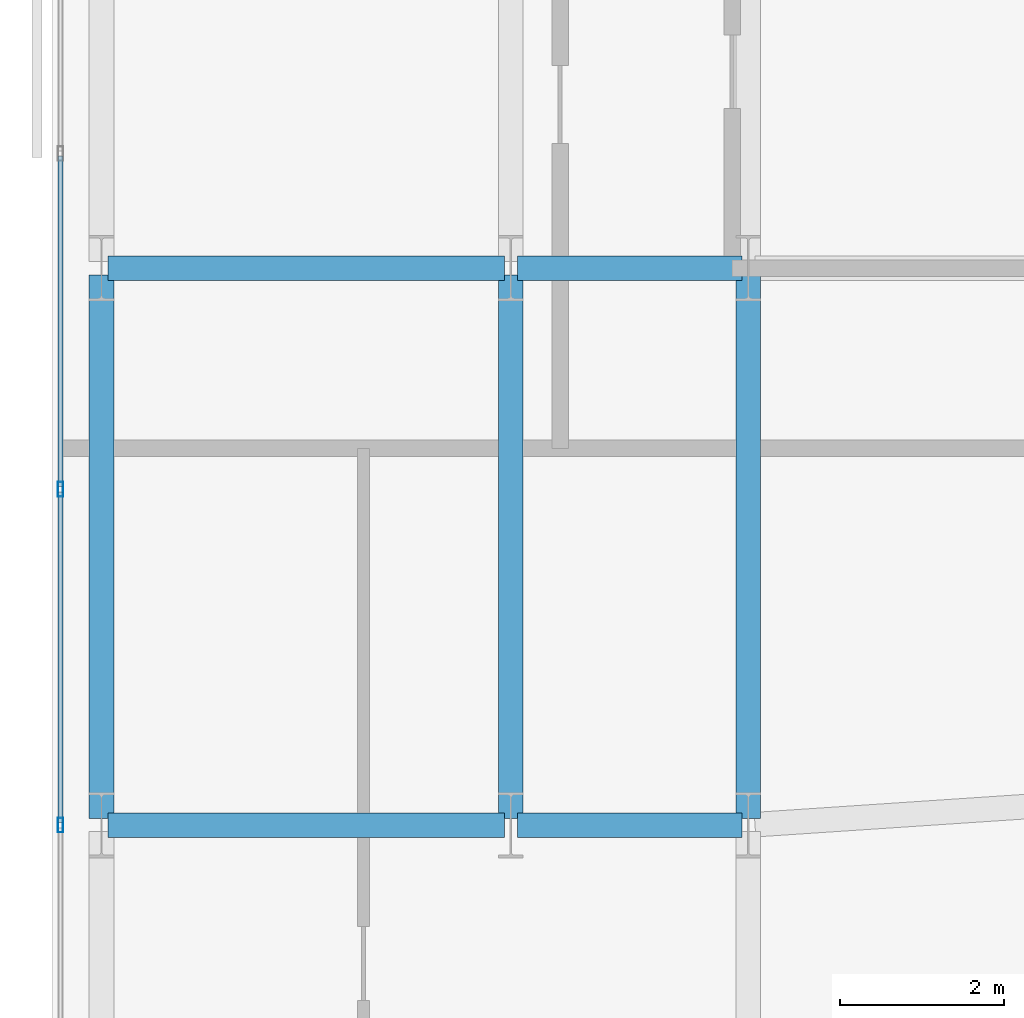
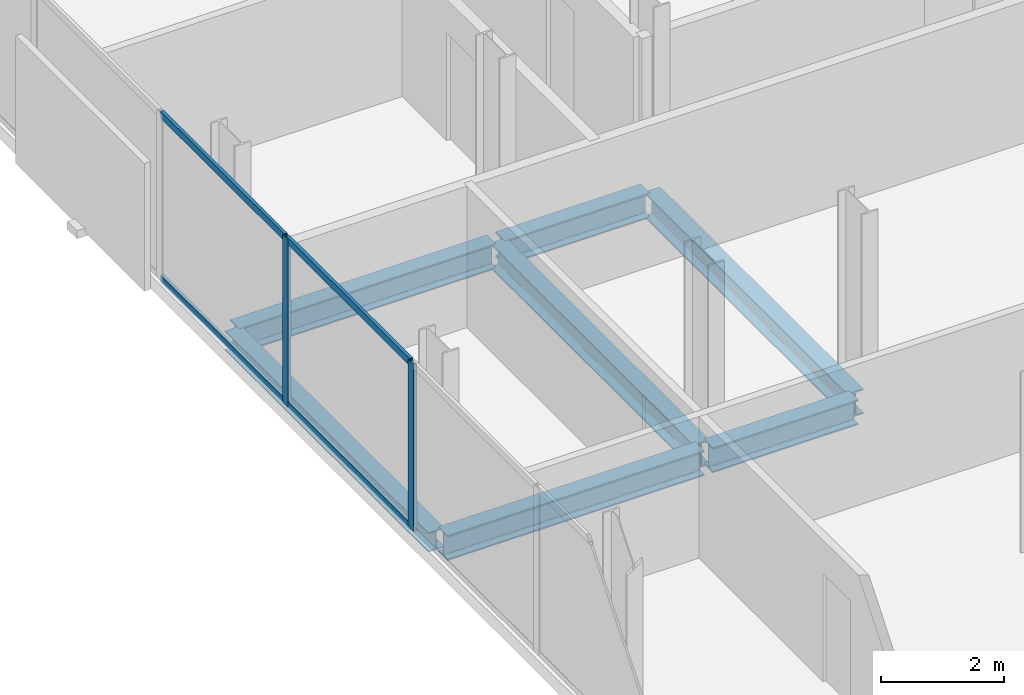
# One storey, part 11 of 33: 7 beams, 6 members, 1 element without a shape of its own.
"""IFC4 building model written with IfcOpenShell, lengths in metres."""

from ifc_helpers import new_model, si_unit, direction, frame, origin, origin_2d, place, context, subcontext, project, spatial, hollow_rectangle, i_section, extrude, material, layer, layer_set, material_profile, profile_set, type_object, element, aggregate, save


model = new_model("IFC4")

# Units and contexts
model_context = context("Model", 3, precision=1e-05, world=origin(), true_north=direction((0.0, 1.0)))
body_context = subcontext(model_context, "Body", "Model", "MODEL_VIEW")
ifc_project = project(units=[si_unit("LENGTHUNIT", "METRE"), si_unit("AREAUNIT", "SQUARE_METRE"), si_unit("VOLUMEUNIT", "CUBIC_METRE"), si_unit("PLANEANGLEUNIT", "RADIAN"), si_unit("MASSUNIT", "GRAM", prefix="KILO")], contexts=[model_context])

# Site, building, storey
site_placement = place(None, origin())
site = spatial("IfcSite", under=ifc_project, at=site_placement, CompositionType="ELEMENT")
building_placement = place(site_placement, origin())
building = spatial("IfcBuilding", under=site, at=building_placement, Name="Catumbela Crestline Tower", CompositionType="ELEMENT")
storey_placement = place(building_placement, frame((0.0, 0.0, 47.4)))
storey = spatial("IfcBuildingStorey", under=building, at=storey_placement, Name="L11", CompositionType="ELEMENT", Elevation=47.4)

# Beams
ifc_material_1 = material(Name="Structural steel S355J2", Category="steel")
ifc_material_profile_1 = material_profile(ifc_material_1, i_section(OverallWidth=0.3, OverallDepth=0.5, WebThickness=0.0145, FlangeThickness=0.028, FilletRadius=0.027, at=origin_2d()), Name="HEB 500")
ifc_profile_set_1 = profile_set([ifc_material_profile_1], Name="Structural steel S355J2")
beam_type_1 = type_object("IfcBeamType", Name="BG-HEB500", PredefinedType="BEAM", material=ifc_profile_set_1)
beam_1_placement = place(storey_placement, frame((0.68, 24.0, -0.51), z_axis=(1.0, 0.0, 0.0), x_axis=(0.0, 1.0, 0.0)))
element("IfcBeam", 1, at=beam_1_placement, inside=storey, type_object=beam_type_1, Name="L11 Beam BM-L11-S01", PredefinedType="BEAM", context=body_context, shape_type="SweptSolid", body=[
    extrude(i_section(OverallWidth=0.3, OverallDepth=0.5, WebThickness=0.0145, FlangeThickness=0.028, FilletRadius=0.027, at=origin_2d()), origin(), (0.0, 0.0, 1.0), 4.84),
])
beam_2_placement = place(storey_placement, frame((5.68, 24.0, -0.51), z_axis=(1.0, 0.0, 0.0), x_axis=(0.0, 1.0, 0.0)))
element("IfcBeam", 2, at=beam_2_placement, inside=storey, type_object=beam_type_1, Name="L11 Beam BM-L11-S02", PredefinedType="BEAM", context=body_context, shape_type="SweptSolid", body=[
    extrude(i_section(OverallWidth=0.3, OverallDepth=0.5, WebThickness=0.0145, FlangeThickness=0.028, FilletRadius=0.027, at=origin_2d()), origin(), (0.0, 0.0, 1.0), 2.74),
])
beam_3_placement = place(storey_placement, frame((0.68, 30.8, -0.51), z_axis=(1.0, 0.0, 0.0), x_axis=(0.0, 1.0, 0.0)))
element("IfcBeam", 3, at=beam_3_placement, inside=storey, type_object=beam_type_1, Name="L11 Beam BM-L11-M07", PredefinedType="BEAM", context=body_context, shape_type="SweptSolid", body=[
    extrude(i_section(OverallWidth=0.3, OverallDepth=0.5, WebThickness=0.0145, FlangeThickness=0.028, FilletRadius=0.027, at=origin_2d()), origin(), (0.0, 0.0, 1.0), 4.84),
])
beam_4_placement = place(storey_placement, frame((5.68, 30.8, -0.51), z_axis=(1.0, 0.0, 0.0), x_axis=(0.0, 1.0, 0.0)))
element("IfcBeam", 4, at=beam_4_placement, inside=storey, type_object=beam_type_1, Name="L11 Beam BM-L11-M08", PredefinedType="BEAM", context=body_context, shape_type="SweptSolid", body=[
    extrude(i_section(OverallWidth=0.3, OverallDepth=0.5, WebThickness=0.0145, FlangeThickness=0.028, FilletRadius=0.027, at=origin_2d()), origin(), (0.0, 0.0, 1.0), 2.74),
])
for number, where, z_axis, x_axis, name in (
    (5, (5.6, 24.08, -0.51), (0.0, 1.0, 0.0), (-1.0, 0.0, 0.0), "L11 Beam BM-L11-SN27"),
    (6, (8.5, 24.08, -0.51), (0.0, 1.0, 0.0), (-1.0, 0.0, 0.0), "L11 Beam BM-L11-SN29"),
):
    element("IfcBeam", number, at=place(storey_placement, frame(where, z_axis=z_axis, x_axis=x_axis)), inside=storey, type_object=beam_type_1, Name=name, PredefinedType="BEAM", context=body_context, shape_type="SweptSolid", body=[
        extrude(i_section(OverallWidth=0.3, OverallDepth=0.5, WebThickness=0.0145, FlangeThickness=0.028, FilletRadius=0.027, at=origin_2d()), origin(), (0.0, 0.0, 1.0), 6.64),
    ])

# Curtain wall, members
ifc_material_2 = material(Name="Aluminium alloy AW-6060-T66", Category="aluminium")
ifc_layer = layer(ifc_material_2, 0.18, Name="Aluminium alloy AW-6060-T66")
ifc_layer_set = layer_set([ifc_layer], Name="Aluminium alloy AW-6060-T66")
curtain_wall_type = type_object("IfcCurtainWallType", Name="CWU-Z1", PredefinedType="USERDEFINED", material=ifc_layer_set)
curtain_wall_placement = place(storey_placement, origin())
curtain_wall = element("IfcCurtainWall", 7, at=curtain_wall_placement, inside=storey, type_object=curtain_wall_type, Name="L11 Unitised Curtain Wall CW-L11-E9S1", ObjectType="UNITISED", PredefinedType="USERDEFINED")
ifc_material_profile_2 = material_profile(ifc_material_2, hollow_rectangle(XDim=0.065, YDim=0.18, WallThickness=0.004, at=origin_2d()), Name="ALU 180x65x4")
ifc_profile_set_2 = profile_set([ifc_material_profile_2], Name="Aluminium alloy AW-6060-T66")
member_type_1 = type_object("IfcMemberType", Name="MUL-180X65", PredefinedType="MULLION", material=ifc_profile_set_2)
member_1_placement = place(storey_placement, frame((0.1, 28.1, 0.0), z_axis=(0.0, 0.0, 1.0), x_axis=(1.0, 0.0, 0.0)))
member_1 = element("IfcMember", 8, at=member_1_placement, type_object=member_type_1, Name="CWU-Z1 mullion 5", PredefinedType="MULLION", context=body_context, shape_type="SweptSolid", body=[
    extrude(hollow_rectangle(XDim=0.065, YDim=0.18, WallThickness=0.004, at=origin_2d()), origin(), (0.0, 0.0, 1.0), 3.33),
])
member_2_placement = place(storey_placement, frame((0.1, 24.0, 0.0), z_axis=(0.0, 0.0, 1.0), x_axis=(1.0, 0.0, 0.0)))
member_2 = element("IfcMember", 9, at=member_2_placement, type_object=member_type_1, Name="CWU-Z1 mullion 6", PredefinedType="MULLION", context=body_context, shape_type="SweptSolid", body=[
    extrude(hollow_rectangle(XDim=0.065, YDim=0.18, WallThickness=0.004, at=origin_2d()), origin(), (0.0, 0.0, 1.0), 3.33),
])

# Beam
ifc_material_profile_3 = material_profile(ifc_material_1, i_section(OverallWidth=0.3, OverallDepth=0.39, WebThickness=0.011, FlangeThickness=0.019, FilletRadius=0.027, at=origin_2d()), Name="HEA 400")
ifc_profile_set_3 = profile_set([ifc_material_profile_3], Name="Structural steel S355J2")
beam_type_2 = type_object("IfcBeamType", Name="BS-HEA400", PredefinedType="SPANDREL", material=ifc_profile_set_3)
beam_5_placement = place(storey_placement, frame((0.6, 24.08, -0.455), z_axis=(0.0, 1.0, 0.0), x_axis=(-1.0, 0.0, 0.0)))
element("IfcBeam", 10, at=beam_5_placement, inside=storey, type_object=beam_type_2, Name="L11 Spandrel SP-L11-SN25", PredefinedType="SPANDREL", context=body_context, shape_type="SweptSolid", body=[
    extrude(i_section(OverallWidth=0.3, OverallDepth=0.39, WebThickness=0.011, FlangeThickness=0.019, FilletRadius=0.027, at=origin_2d()), origin(), (0.0, 0.0, 1.0), 6.64),
])

# Member
ifc_material_profile_4 = material_profile(ifc_material_2, hollow_rectangle(XDim=0.06, YDim=0.14, WallThickness=0.004, at=origin_2d()), Name="ALU 140x60x4")
ifc_profile_set_4 = profile_set([ifc_material_profile_4], Name="Aluminium alloy AW-6060-T66")
member_type_2 = type_object("IfcMemberType", Name="TRN-140X60", PredefinedType="USERDEFINED", material=ifc_profile_set_4)
member_3_placement = place(storey_placement, frame((0.1, 32.1675, 0.03), z_axis=(0.0, -1.0, 0.0), x_axis=(1.0, 0.0, 0.0)))
member_3 = element("IfcMember", 11, at=member_3_placement, type_object=member_type_2, Name="CWU-Z1 transom 4.1", ObjectType="TRANSOM", PredefinedType="USERDEFINED", context=body_context, shape_type="SweptSolid", body=[
    extrude(hollow_rectangle(XDim=0.06, YDim=0.14, WallThickness=0.004, at=origin_2d()), origin(), (0.0, 0.0, 1.0), 4.035),
])

member_4_placement = place(storey_placement, frame((0.1, 32.1675, 3.3), z_axis=(0.0, -1.0, 0.0), x_axis=(1.0, 0.0, 0.0)))
member_4 = element("IfcMember", 12, at=member_4_placement, type_object=member_type_2, Name="CWU-Z1 transom 4.2", ObjectType="TRANSOM", PredefinedType="USERDEFINED", context=body_context, shape_type="SweptSolid", body=[
    extrude(hollow_rectangle(XDim=0.06, YDim=0.14, WallThickness=0.004, at=origin_2d()), origin(), (0.0, 0.0, 1.0), 4.035),
])

member_5_placement = place(storey_placement, frame((0.1, 28.0675, 0.03), z_axis=(0.0, -1.0, 0.0), x_axis=(1.0, 0.0, 0.0)))
member_5 = element("IfcMember", 13, at=member_5_placement, type_object=member_type_2, Name="CWU-Z1 transom 5.1", ObjectType="TRANSOM", PredefinedType="USERDEFINED", context=body_context, shape_type="SweptSolid", body=[
    extrude(hollow_rectangle(XDim=0.06, YDim=0.14, WallThickness=0.004, at=origin_2d()), origin(), (0.0, 0.0, 1.0), 4.035),
])

member_6_placement = place(storey_placement, frame((0.1, 28.0675, 3.3), z_axis=(0.0, -1.0, 0.0), x_axis=(1.0, 0.0, 0.0)))
member_6 = element("IfcMember", 14, at=member_6_placement, type_object=member_type_2, Name="CWU-Z1 transom 5.2", ObjectType="TRANSOM", PredefinedType="USERDEFINED", context=body_context, shape_type="SweptSolid", body=[
    extrude(hollow_rectangle(XDim=0.06, YDim=0.14, WallThickness=0.004, at=origin_2d()), origin(), (0.0, 0.0, 1.0), 4.035),
])

aggregate(curtain_wall, [member_1, member_2, member_3, member_4, member_5, member_6])

save(model, "model.ifc")
